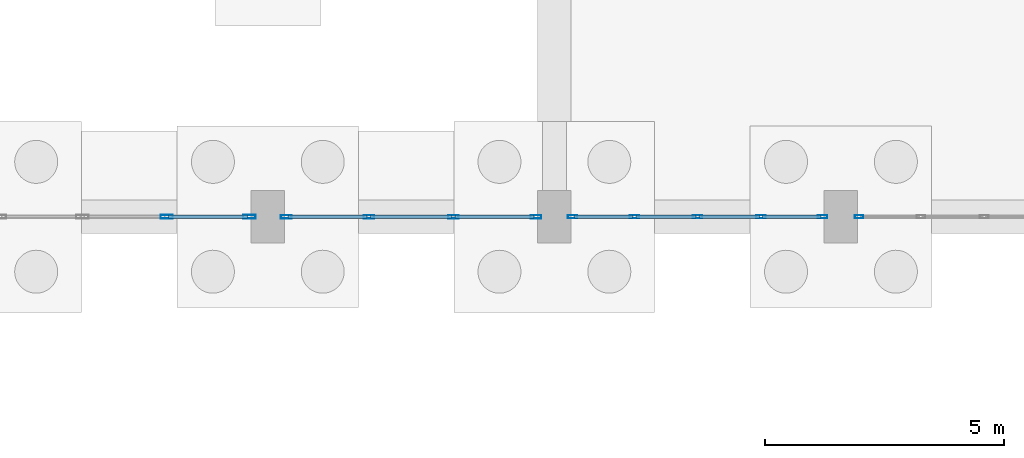
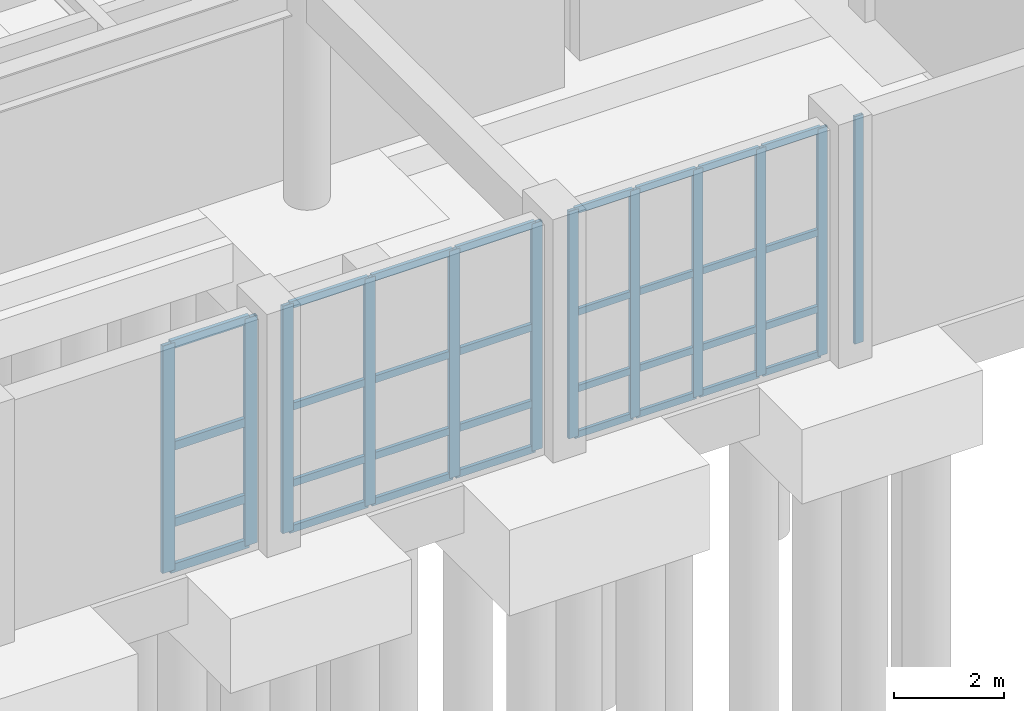
# One storey, part 33 of 69: 44 members, 4 elements without a shape of their own.
"""IFC4 building model written with IfcOpenShell, lengths in metres."""

from ifc_helpers import new_model, si_unit, direction, frame, origin, origin_2d, place, context, subcontext, project, spatial, hollow_rectangle, extrude, material, layer, layer_set, material_profile, profile_set, type_object, element, aggregate, save


model = new_model("IFC4")

# Units and contexts
model_context = context("Model", 3, precision=1e-05, world=origin(), true_north=direction((0.0, 1.0)))
body_context = subcontext(model_context, "Body", "Model", "MODEL_VIEW")
ifc_project = project(units=[si_unit("LENGTHUNIT", "METRE"), si_unit("AREAUNIT", "SQUARE_METRE"), si_unit("VOLUMEUNIT", "CUBIC_METRE"), si_unit("PLANEANGLEUNIT", "RADIAN"), si_unit("MASSUNIT", "GRAM", prefix="KILO")], contexts=[model_context])

# Site, building, storey
site_placement = place(None, origin())
site = spatial("IfcSite", under=ifc_project, at=site_placement, CompositionType="ELEMENT")
building_placement = place(site_placement, origin())
building = spatial("IfcBuilding", under=site, at=building_placement, Name="Vaelkrest Opera House", CompositionType="ELEMENT")
storey_placement = place(building_placement, frame((0.0, 0.0, -5.39990234375)))
storey = spatial("IfcBuildingStorey", under=building, at=storey_placement, Name="B1", CompositionType="ELEMENT", Elevation=-5.39990234375)

# Curtain wall, member
ifc_material = material(Name="Dark bronze anodized aluminium", Category="aluminium")
ifc_layer_1 = layer(ifc_material, 0.179931640625)
ifc_layer_set_1 = layer_set([ifc_layer_1], Name="Dark bronze anodized aluminium")
curtain_wall_type_1 = type_object("IfcCurtainWallType", Name="CW01", PredefinedType="NOTDEFINED", material=ifc_layer_set_1)
curtain_wall_1_placement = place(storey_placement, origin())
curtain_wall_1 = element("IfcCurtainWall", 1, at=curtain_wall_1_placement, inside=storey, type_object=curtain_wall_type_1, Name="Curtain wall CW-B1-001", PredefinedType="NOTDEFINED")
ifc_material_profile_1 = material_profile(ifc_material, hollow_rectangle(XDim=0.06494140625, YDim=0.179931640625, WallThickness=0.00390625, at=origin_2d()), Name="CWM65X180")
ifc_profile_set_1 = profile_set([ifc_material_profile_1], Name="Dark bronze anodized aluminium")
member_type_1 = type_object("IfcMemberType", Name="CWM01", PredefinedType="MULLION", material=ifc_profile_set_1)
member_1_placement = place(storey_placement, frame((24.380615234375, -55.800048828125, 0.0), z_axis=(0.0, 0.0, 1.0), x_axis=(0.0, -1.0, 0.0)))
member_1 = element("IfcMember", 2, at=member_1_placement, type_object=member_type_1, Name="CW01 mullion 5", PredefinedType="MULLION", context=body_context, shape_type="SweptSolid", body=[
    extrude(hollow_rectangle(XDim=0.06494140625, YDim=0.179931640625, WallThickness=0.00390625, at=origin_2d()), origin(), (0.0, 0.0, 1.0), 5.0498046875),
])
aggregate(curtain_wall_1, [member_1])

# Curtain wall, members
ifc_layer_2 = layer(ifc_material, 0.18994140625)
ifc_layer_set_2 = layer_set([ifc_layer_2], Name="Dark bronze anodized aluminium")
curtain_wall_type_2 = type_object("IfcCurtainWallType", Name="CW02", PredefinedType="NOTDEFINED", material=ifc_layer_set_2)
curtain_wall_2_placement = place(storey_placement, origin())
curtain_wall_2 = element("IfcCurtainWall", 3, at=curtain_wall_2_placement, inside=storey, type_object=curtain_wall_type_2, Name="Curtain wall CW-B1-002", PredefinedType="NOTDEFINED")
ifc_material_profile_2 = material_profile(ifc_material, hollow_rectangle(XDim=0.070068359375, YDim=0.199951171875, WallThickness=0.004150390625, at=origin_2d()), Name="CWM70X200")
ifc_profile_set_2 = profile_set([ifc_material_profile_2], Name="Dark bronze anodized aluminium")
member_type_2 = type_object("IfcMemberType", Name="CWM02", PredefinedType="MULLION", material=ifc_profile_set_2)
member_2_placement = place(storey_placement, frame((23.616943359375, -55.800048828125, 0.0), z_axis=(0.0, 0.0, 1.0), x_axis=(0.0, -1.0, 0.0)))
member_2 = element("IfcMember", 4, at=member_2_placement, type_object=member_type_2, Name="CW02 mullion 1", PredefinedType="MULLION", context=body_context, shape_type="SweptSolid", body=[
    extrude(hollow_rectangle(XDim=0.070068359375, YDim=0.199951171875, WallThickness=0.004150390625, at=origin_2d()), origin(), (0.0, 0.0, 1.0), 5.0498046875),
])
member_3_placement = place(storey_placement, frame((22.325927734375, -55.800048828125, 0.0), z_axis=(0.0, 0.0, 1.0), x_axis=(0.0, -1.0, 0.0)))
member_3 = element("IfcMember", 5, at=member_3_placement, type_object=member_type_2, Name="CW02 mullion 2", PredefinedType="MULLION", context=body_context, shape_type="SweptSolid", body=[
    extrude(hollow_rectangle(XDim=0.070068359375, YDim=0.199951171875, WallThickness=0.004150390625, at=origin_2d()), origin(), (0.0, 0.0, 1.0), 5.0498046875),
])
member_4_placement = place(storey_placement, frame((21.0, -55.800048828125, 0.0), z_axis=(0.0, 0.0, 1.0), x_axis=(0.0, -1.0, 0.0)))
member_4 = element("IfcMember", 6, at=member_4_placement, type_object=member_type_2, Name="CW02 mullion 3", PredefinedType="MULLION", context=body_context, shape_type="SweptSolid", body=[
    extrude(hollow_rectangle(XDim=0.070068359375, YDim=0.199951171875, WallThickness=0.004150390625, at=origin_2d()), origin(), (0.0, 0.0, 1.0), 5.0498046875),
])
member_5_placement = place(storey_placement, frame((19.674072265625, -55.800048828125, 0.0), z_axis=(0.0, 0.0, 1.0), x_axis=(0.0, -1.0, 0.0)))
member_5 = element("IfcMember", 7, at=member_5_placement, type_object=member_type_2, Name="CW02 mullion 4", PredefinedType="MULLION", context=body_context, shape_type="SweptSolid", body=[
    extrude(hollow_rectangle(XDim=0.070068359375, YDim=0.199951171875, WallThickness=0.004150390625, at=origin_2d()), origin(), (0.0, 0.0, 1.0), 5.0498046875),
])
member_6_placement = place(storey_placement, frame((18.383056640625, -55.800048828125, 0.0), z_axis=(0.0, 0.0, 1.0), x_axis=(0.0, -1.0, 0.0)))
member_6 = element("IfcMember", 8, at=member_6_placement, type_object=member_type_2, Name="CW02 mullion 5", PredefinedType="MULLION", context=body_context, shape_type="SweptSolid", body=[
    extrude(hollow_rectangle(XDim=0.070068359375, YDim=0.199951171875, WallThickness=0.004150390625, at=origin_2d()), origin(), (0.0, 0.0, 1.0), 5.0498046875),
])

ifc_layer_3 = layer(ifc_material, 0.199951171875)
ifc_layer_set_3 = layer_set([ifc_layer_3], Name="Dark bronze anodized aluminium")
curtain_wall_type_3 = type_object("IfcCurtainWallType", Name="CW03", PredefinedType="NOTDEFINED", material=ifc_layer_set_3)
curtain_wall_3_placement = place(storey_placement, origin())
curtain_wall_3 = element("IfcCurtainWall", 9, at=curtain_wall_3_placement, inside=storey, type_object=curtain_wall_type_3, Name="Curtain wall CW-B1-003", PredefinedType="NOTDEFINED")
ifc_material_profile_3 = material_profile(ifc_material, hollow_rectangle(XDim=0.074951171875, YDim=0.219970703125, WallThickness=0.00439453125, at=origin_2d()), Name="CWM75X220")
ifc_profile_set_3 = profile_set([ifc_material_profile_3], Name="Dark bronze anodized aluminium")
member_type_3 = type_object("IfcMemberType", Name="CWM03", PredefinedType="MULLION", material=ifc_profile_set_3)
member_7_placement = place(storey_placement, frame((17.614501953125, -55.800048828125, 0.0), z_axis=(0.0, 0.0, 1.0), x_axis=(0.0, -1.0, 0.0)))
member_7 = element("IfcMember", 10, at=member_7_placement, type_object=member_type_3, Name="CW03 mullion 1", PredefinedType="MULLION", context=body_context, shape_type="SweptSolid", body=[
    extrude(hollow_rectangle(XDim=0.074951171875, YDim=0.219970703125, WallThickness=0.00439453125, at=origin_2d()), origin(), (0.0, 0.0, 1.0), 5.0498046875),
])
member_8_placement = place(storey_placement, frame((15.884033203125, -55.800048828125, 0.0), z_axis=(0.0, 0.0, 1.0), x_axis=(0.0, -1.0, 0.0)))
member_8 = element("IfcMember", 11, at=member_8_placement, type_object=member_type_3, Name="CW03 mullion 2", PredefinedType="MULLION", context=body_context, shape_type="SweptSolid", body=[
    extrude(hollow_rectangle(XDim=0.074951171875, YDim=0.219970703125, WallThickness=0.00439453125, at=origin_2d()), origin(), (0.0, 0.0, 1.0), 5.0498046875),
])
member_9_placement = place(storey_placement, frame((14.115966796875, -55.800048828125, 0.0), z_axis=(0.0, 0.0, 1.0), x_axis=(0.0, -1.0, 0.0)))
member_9 = element("IfcMember", 12, at=member_9_placement, type_object=member_type_3, Name="CW03 mullion 3", PredefinedType="MULLION", context=body_context, shape_type="SweptSolid", body=[
    extrude(hollow_rectangle(XDim=0.074951171875, YDim=0.219970703125, WallThickness=0.00439453125, at=origin_2d()), origin(), (0.0, 0.0, 1.0), 5.0498046875),
])
member_10_placement = place(storey_placement, frame((12.385498046875, -55.800048828125, 0.0), z_axis=(0.0, 0.0, 1.0), x_axis=(0.0, -1.0, 0.0)))
member_10 = element("IfcMember", 13, at=member_10_placement, type_object=member_type_3, Name="CW03 mullion 4", PredefinedType="MULLION", context=body_context, shape_type="SweptSolid", body=[
    extrude(hollow_rectangle(XDim=0.074951171875, YDim=0.219970703125, WallThickness=0.00439453125, at=origin_2d()), origin(), (0.0, 0.0, 1.0), 5.0498046875),
])

ifc_layer_4 = layer(ifc_material, 0.2099609375)
ifc_layer_set_4 = layer_set([ifc_layer_4], Name="Dark bronze anodized aluminium")
curtain_wall_type_4 = type_object("IfcCurtainWallType", Name="CW04", PredefinedType="NOTDEFINED", material=ifc_layer_set_4)
curtain_wall_4_placement = place(storey_placement, origin())
curtain_wall_4 = element("IfcCurtainWall", 14, at=curtain_wall_4_placement, inside=storey, type_object=curtain_wall_type_4, Name="Curtain wall CW-B1-004", PredefinedType="NOTDEFINED")
ifc_material_profile_4 = material_profile(ifc_material, hollow_rectangle(XDim=0.080078125, YDim=0.260009765625, WallThickness=0.0048828125, at=origin_2d()), Name="CWM80X260")
ifc_profile_set_4 = profile_set([ifc_material_profile_4], Name="Dark bronze anodized aluminium")
member_type_4 = type_object("IfcMemberType", Name="CWM04", PredefinedType="MULLION", material=ifc_profile_set_4)
member_11_placement = place(storey_placement, frame((11.612060546875, -55.800048828125, 0.0), z_axis=(0.0, 0.0, 1.0), x_axis=(0.0, -1.0, 0.0)))
member_11 = element("IfcMember", 15, at=member_11_placement, type_object=member_type_4, Name="CW04 mullion 1", PredefinedType="MULLION", context=body_context, shape_type="SweptSolid", body=[
    extrude(hollow_rectangle(XDim=0.080078125, YDim=0.260009765625, WallThickness=0.0048828125, at=origin_2d()), origin(), (0.0, 0.0, 1.0), 5.0498046875),
])
member_12_placement = place(storey_placement, frame((9.884033203125, -55.800048828125, 0.0), z_axis=(0.0, 0.0, 1.0), x_axis=(0.0, -1.0, 0.0)))
member_12 = element("IfcMember", 16, at=member_12_placement, type_object=member_type_4, Name="CW04 mullion 2", PredefinedType="MULLION", context=body_context, shape_type="SweptSolid", body=[
    extrude(hollow_rectangle(XDim=0.080078125, YDim=0.260009765625, WallThickness=0.0048828125, at=origin_2d()), origin(), (0.0, 0.0, 1.0), 5.0498046875),
])

# Member
ifc_material_profile_5 = material_profile(ifc_material, hollow_rectangle(XDim=0.070068359375, YDim=0.14990234375, WallThickness=0.004150390625, at=origin_2d()), Name="CWT70X150")
ifc_profile_set_5 = profile_set([ifc_material_profile_5], Name="Dark bronze anodized aluminium")
member_type_5 = type_object("IfcMemberType", Name="CWT02", PredefinedType="USERDEFINED", material=ifc_profile_set_5)
member_13_placement = place(storey_placement, frame((23.58203125, -55.800048828125, 0.034912109375), z_axis=(-1.0, 0.0, 0.0), x_axis=(0.0, -1.0, 0.0)))
member_13 = element("IfcMember", 17, at=member_13_placement, type_object=member_type_5, Name="CW02 transom 1.1", ObjectType="TRANSOM", PredefinedType="USERDEFINED", context=body_context, shape_type="SweptSolid", body=[
    extrude(hollow_rectangle(XDim=0.070068359375, YDim=0.14990234375, WallThickness=0.004150390625, at=origin_2d()), origin(), (0.0, 0.0, 1.0), 1.220947265625),
])

member_14_placement = place(storey_placement, frame((23.58203125, -55.800048828125, 1.0498046875), z_axis=(-1.0, 0.0, 0.0), x_axis=(0.0, -1.0, 0.0)))
member_14 = element("IfcMember", 18, at=member_14_placement, type_object=member_type_5, Name="CW02 transom 1.2", ObjectType="TRANSOM", PredefinedType="USERDEFINED", context=body_context, shape_type="SweptSolid", body=[
    extrude(hollow_rectangle(XDim=0.070068359375, YDim=0.14990234375, WallThickness=0.004150390625, at=origin_2d()), origin(), (0.0, 0.0, 1.0), 1.220947265625),
])

member_15_placement = place(storey_placement, frame((23.58203125, -55.800048828125, 2.75), z_axis=(-1.0, 0.0, 0.0), x_axis=(0.0, -1.0, 0.0)))
member_15 = element("IfcMember", 19, at=member_15_placement, type_object=member_type_5, Name="CW02 transom 1.3", ObjectType="TRANSOM", PredefinedType="USERDEFINED", context=body_context, shape_type="SweptSolid", body=[
    extrude(hollow_rectangle(XDim=0.070068359375, YDim=0.14990234375, WallThickness=0.004150390625, at=origin_2d()), origin(), (0.0, 0.0, 1.0), 1.220947265625),
])

member_16_placement = place(storey_placement, frame((23.58203125, -55.800048828125, 5.014892578125), z_axis=(-1.0, 0.0, 0.0), x_axis=(0.0, -1.0, 0.0)))
member_16 = element("IfcMember", 20, at=member_16_placement, type_object=member_type_5, Name="CW02 transom 1.4", ObjectType="TRANSOM", PredefinedType="USERDEFINED", context=body_context, shape_type="SweptSolid", body=[
    extrude(hollow_rectangle(XDim=0.070068359375, YDim=0.14990234375, WallThickness=0.004150390625, at=origin_2d()), origin(), (0.0, 0.0, 1.0), 1.220947265625),
])

member_17_placement = place(storey_placement, frame((22.291015625, -55.800048828125, 0.034912109375), z_axis=(-1.0, 0.0, 0.0), x_axis=(0.0, -1.0, 0.0)))
member_17 = element("IfcMember", 21, at=member_17_placement, type_object=member_type_5, Name="CW02 transom 2.1", ObjectType="TRANSOM", PredefinedType="USERDEFINED", context=body_context, shape_type="SweptSolid", body=[
    extrude(hollow_rectangle(XDim=0.070068359375, YDim=0.14990234375, WallThickness=0.004150390625, at=origin_2d()), origin(), (0.0, 0.0, 1.0), 1.256103515625),
])

member_18_placement = place(storey_placement, frame((22.291015625, -55.800048828125, 1.0498046875), z_axis=(-1.0, 0.0, 0.0), x_axis=(0.0, -1.0, 0.0)))
member_18 = element("IfcMember", 22, at=member_18_placement, type_object=member_type_5, Name="CW02 transom 2.2", ObjectType="TRANSOM", PredefinedType="USERDEFINED", context=body_context, shape_type="SweptSolid", body=[
    extrude(hollow_rectangle(XDim=0.070068359375, YDim=0.14990234375, WallThickness=0.004150390625, at=origin_2d()), origin(), (0.0, 0.0, 1.0), 1.256103515625),
])

member_19_placement = place(storey_placement, frame((22.291015625, -55.800048828125, 2.75), z_axis=(-1.0, 0.0, 0.0), x_axis=(0.0, -1.0, 0.0)))
member_19 = element("IfcMember", 23, at=member_19_placement, type_object=member_type_5, Name="CW02 transom 2.3", ObjectType="TRANSOM", PredefinedType="USERDEFINED", context=body_context, shape_type="SweptSolid", body=[
    extrude(hollow_rectangle(XDim=0.070068359375, YDim=0.14990234375, WallThickness=0.004150390625, at=origin_2d()), origin(), (0.0, 0.0, 1.0), 1.256103515625),
])

member_20_placement = place(storey_placement, frame((22.291015625, -55.800048828125, 5.014892578125), z_axis=(-1.0, 0.0, 0.0), x_axis=(0.0, -1.0, 0.0)))
member_20 = element("IfcMember", 24, at=member_20_placement, type_object=member_type_5, Name="CW02 transom 2.4", ObjectType="TRANSOM", PredefinedType="USERDEFINED", context=body_context, shape_type="SweptSolid", body=[
    extrude(hollow_rectangle(XDim=0.070068359375, YDim=0.14990234375, WallThickness=0.004150390625, at=origin_2d()), origin(), (0.0, 0.0, 1.0), 1.256103515625),
])

member_21_placement = place(storey_placement, frame((20.965087890625, -55.800048828125, 0.034912109375), z_axis=(-1.0, 0.0, 0.0), x_axis=(0.0, -1.0, 0.0)))
member_21 = element("IfcMember", 25, at=member_21_placement, type_object=member_type_5, Name="CW02 transom 3.1", ObjectType="TRANSOM", PredefinedType="USERDEFINED", context=body_context, shape_type="SweptSolid", body=[
    extrude(hollow_rectangle(XDim=0.070068359375, YDim=0.14990234375, WallThickness=0.004150390625, at=origin_2d()), origin(), (0.0, 0.0, 1.0), 1.256103515625),
])

member_22_placement = place(storey_placement, frame((20.965087890625, -55.800048828125, 1.0498046875), z_axis=(-1.0, 0.0, 0.0), x_axis=(0.0, -1.0, 0.0)))
member_22 = element("IfcMember", 26, at=member_22_placement, type_object=member_type_5, Name="CW02 transom 3.2", ObjectType="TRANSOM", PredefinedType="USERDEFINED", context=body_context, shape_type="SweptSolid", body=[
    extrude(hollow_rectangle(XDim=0.070068359375, YDim=0.14990234375, WallThickness=0.004150390625, at=origin_2d()), origin(), (0.0, 0.0, 1.0), 1.256103515625),
])

member_23_placement = place(storey_placement, frame((20.965087890625, -55.800048828125, 2.75), z_axis=(-1.0, 0.0, 0.0), x_axis=(0.0, -1.0, 0.0)))
member_23 = element("IfcMember", 27, at=member_23_placement, type_object=member_type_5, Name="CW02 transom 3.3", ObjectType="TRANSOM", PredefinedType="USERDEFINED", context=body_context, shape_type="SweptSolid", body=[
    extrude(hollow_rectangle(XDim=0.070068359375, YDim=0.14990234375, WallThickness=0.004150390625, at=origin_2d()), origin(), (0.0, 0.0, 1.0), 1.256103515625),
])

member_24_placement = place(storey_placement, frame((20.965087890625, -55.800048828125, 5.014892578125), z_axis=(-1.0, 0.0, 0.0), x_axis=(0.0, -1.0, 0.0)))
member_24 = element("IfcMember", 28, at=member_24_placement, type_object=member_type_5, Name="CW02 transom 3.4", ObjectType="TRANSOM", PredefinedType="USERDEFINED", context=body_context, shape_type="SweptSolid", body=[
    extrude(hollow_rectangle(XDim=0.070068359375, YDim=0.14990234375, WallThickness=0.004150390625, at=origin_2d()), origin(), (0.0, 0.0, 1.0), 1.256103515625),
])

member_25_placement = place(storey_placement, frame((19.638916015625, -55.800048828125, 0.034912109375), z_axis=(-1.0, 0.0, 0.0), x_axis=(0.0, -1.0, 0.0)))
member_25 = element("IfcMember", 29, at=member_25_placement, type_object=member_type_5, Name="CW02 transom 4.1", ObjectType="TRANSOM", PredefinedType="USERDEFINED", context=body_context, shape_type="SweptSolid", body=[
    extrude(hollow_rectangle(XDim=0.070068359375, YDim=0.14990234375, WallThickness=0.004150390625, at=origin_2d()), origin(), (0.0, 0.0, 1.0), 1.220947265625),
])

member_26_placement = place(storey_placement, frame((19.638916015625, -55.800048828125, 1.0498046875), z_axis=(-1.0, 0.0, 0.0), x_axis=(0.0, -1.0, 0.0)))
member_26 = element("IfcMember", 30, at=member_26_placement, type_object=member_type_5, Name="CW02 transom 4.2", ObjectType="TRANSOM", PredefinedType="USERDEFINED", context=body_context, shape_type="SweptSolid", body=[
    extrude(hollow_rectangle(XDim=0.070068359375, YDim=0.14990234375, WallThickness=0.004150390625, at=origin_2d()), origin(), (0.0, 0.0, 1.0), 1.220947265625),
])

member_27_placement = place(storey_placement, frame((19.638916015625, -55.800048828125, 2.75), z_axis=(-1.0, 0.0, 0.0), x_axis=(0.0, -1.0, 0.0)))
member_27 = element("IfcMember", 31, at=member_27_placement, type_object=member_type_5, Name="CW02 transom 4.3", ObjectType="TRANSOM", PredefinedType="USERDEFINED", context=body_context, shape_type="SweptSolid", body=[
    extrude(hollow_rectangle(XDim=0.070068359375, YDim=0.14990234375, WallThickness=0.004150390625, at=origin_2d()), origin(), (0.0, 0.0, 1.0), 1.220947265625),
])

member_28_placement = place(storey_placement, frame((19.638916015625, -55.800048828125, 5.014892578125), z_axis=(-1.0, 0.0, 0.0), x_axis=(0.0, -1.0, 0.0)))
member_28 = element("IfcMember", 32, at=member_28_placement, type_object=member_type_5, Name="CW02 transom 4.4", ObjectType="TRANSOM", PredefinedType="USERDEFINED", context=body_context, shape_type="SweptSolid", body=[
    extrude(hollow_rectangle(XDim=0.070068359375, YDim=0.14990234375, WallThickness=0.004150390625, at=origin_2d()), origin(), (0.0, 0.0, 1.0), 1.220947265625),
])

aggregate(curtain_wall_2, [member_2, member_3, member_4, member_5, member_6, member_13, member_14, member_15, member_16, member_17, member_18, member_19, member_20, member_21, member_22, member_23, member_24, member_25, member_26, member_27, member_28])

ifc_material_profile_6 = material_profile(ifc_material, hollow_rectangle(XDim=0.074951171875, YDim=0.159912109375, WallThickness=0.00439453125, at=origin_2d()), Name="CWT75X160")
ifc_profile_set_6 = profile_set([ifc_material_profile_6], Name="Dark bronze anodized aluminium")
member_type_6 = type_object("IfcMemberType", Name="CWT03", PredefinedType="USERDEFINED", material=ifc_profile_set_6)
member_29_placement = place(storey_placement, frame((17.576904296875, -55.800048828125, 0.037353515625), z_axis=(-1.0, 0.0, 0.0), x_axis=(0.0, -1.0, 0.0)))
member_29 = element("IfcMember", 33, at=member_29_placement, type_object=member_type_6, Name="CW03 transom 1.1", ObjectType="TRANSOM", PredefinedType="USERDEFINED", context=body_context, shape_type="SweptSolid", body=[
    extrude(hollow_rectangle(XDim=0.074951171875, YDim=0.159912109375, WallThickness=0.00439453125, at=origin_2d()), origin(), (0.0, 0.0, 1.0), 1.655517578125),
])

member_30_placement = place(storey_placement, frame((17.576904296875, -55.800048828125, 1.0498046875), z_axis=(-1.0, 0.0, 0.0), x_axis=(0.0, -1.0, 0.0)))
member_30 = element("IfcMember", 34, at=member_30_placement, type_object=member_type_6, Name="CW03 transom 1.2", ObjectType="TRANSOM", PredefinedType="USERDEFINED", context=body_context, shape_type="SweptSolid", body=[
    extrude(hollow_rectangle(XDim=0.074951171875, YDim=0.159912109375, WallThickness=0.00439453125, at=origin_2d()), origin(), (0.0, 0.0, 1.0), 1.655517578125),
])

member_31_placement = place(storey_placement, frame((17.576904296875, -55.800048828125, 2.75), z_axis=(-1.0, 0.0, 0.0), x_axis=(0.0, -1.0, 0.0)))
member_31 = element("IfcMember", 35, at=member_31_placement, type_object=member_type_6, Name="CW03 transom 1.3", ObjectType="TRANSOM", PredefinedType="USERDEFINED", context=body_context, shape_type="SweptSolid", body=[
    extrude(hollow_rectangle(XDim=0.074951171875, YDim=0.159912109375, WallThickness=0.00439453125, at=origin_2d()), origin(), (0.0, 0.0, 1.0), 1.655517578125),
])

member_32_placement = place(storey_placement, frame((17.576904296875, -55.800048828125, 5.012451171875), z_axis=(-1.0, 0.0, 0.0), x_axis=(0.0, -1.0, 0.0)))
member_32 = element("IfcMember", 36, at=member_32_placement, type_object=member_type_6, Name="CW03 transom 1.4", ObjectType="TRANSOM", PredefinedType="USERDEFINED", context=body_context, shape_type="SweptSolid", body=[
    extrude(hollow_rectangle(XDim=0.074951171875, YDim=0.159912109375, WallThickness=0.00439453125, at=origin_2d()), origin(), (0.0, 0.0, 1.0), 1.655517578125),
])

member_33_placement = place(storey_placement, frame((15.846435546875, -55.800048828125, 0.037353515625), z_axis=(-1.0, 0.0, 0.0), x_axis=(0.0, -1.0, 0.0)))
member_33 = element("IfcMember", 37, at=member_33_placement, type_object=member_type_6, Name="CW03 transom 2.1", ObjectType="TRANSOM", PredefinedType="USERDEFINED", context=body_context, shape_type="SweptSolid", body=[
    extrude(hollow_rectangle(XDim=0.074951171875, YDim=0.159912109375, WallThickness=0.00439453125, at=origin_2d()), origin(), (0.0, 0.0, 1.0), 1.69287109375),
])

member_34_placement = place(storey_placement, frame((15.846435546875, -55.800048828125, 1.0498046875), z_axis=(-1.0, 0.0, 0.0), x_axis=(0.0, -1.0, 0.0)))
member_34 = element("IfcMember", 38, at=member_34_placement, type_object=member_type_6, Name="CW03 transom 2.2", ObjectType="TRANSOM", PredefinedType="USERDEFINED", context=body_context, shape_type="SweptSolid", body=[
    extrude(hollow_rectangle(XDim=0.074951171875, YDim=0.159912109375, WallThickness=0.00439453125, at=origin_2d()), origin(), (0.0, 0.0, 1.0), 1.69287109375),
])

member_35_placement = place(storey_placement, frame((15.846435546875, -55.800048828125, 2.75), z_axis=(-1.0, 0.0, 0.0), x_axis=(0.0, -1.0, 0.0)))
member_35 = element("IfcMember", 39, at=member_35_placement, type_object=member_type_6, Name="CW03 transom 2.3", ObjectType="TRANSOM", PredefinedType="USERDEFINED", context=body_context, shape_type="SweptSolid", body=[
    extrude(hollow_rectangle(XDim=0.074951171875, YDim=0.159912109375, WallThickness=0.00439453125, at=origin_2d()), origin(), (0.0, 0.0, 1.0), 1.69287109375),
])

member_36_placement = place(storey_placement, frame((15.846435546875, -55.800048828125, 5.012451171875), z_axis=(-1.0, 0.0, 0.0), x_axis=(0.0, -1.0, 0.0)))
member_36 = element("IfcMember", 40, at=member_36_placement, type_object=member_type_6, Name="CW03 transom 2.4", ObjectType="TRANSOM", PredefinedType="USERDEFINED", context=body_context, shape_type="SweptSolid", body=[
    extrude(hollow_rectangle(XDim=0.074951171875, YDim=0.159912109375, WallThickness=0.00439453125, at=origin_2d()), origin(), (0.0, 0.0, 1.0), 1.69287109375),
])

member_37_placement = place(storey_placement, frame((14.07861328125, -55.800048828125, 0.037353515625), z_axis=(-1.0, 0.0, 0.0), x_axis=(0.0, -1.0, 0.0)))
member_37 = element("IfcMember", 41, at=member_37_placement, type_object=member_type_6, Name="CW03 transom 3.1", ObjectType="TRANSOM", PredefinedType="USERDEFINED", context=body_context, shape_type="SweptSolid", body=[
    extrude(hollow_rectangle(XDim=0.074951171875, YDim=0.159912109375, WallThickness=0.00439453125, at=origin_2d()), origin(), (0.0, 0.0, 1.0), 1.655517578125),
])

member_38_placement = place(storey_placement, frame((14.07861328125, -55.800048828125, 1.0498046875), z_axis=(-1.0, 0.0, 0.0), x_axis=(0.0, -1.0, 0.0)))
member_38 = element("IfcMember", 42, at=member_38_placement, type_object=member_type_6, Name="CW03 transom 3.2", ObjectType="TRANSOM", PredefinedType="USERDEFINED", context=body_context, shape_type="SweptSolid", body=[
    extrude(hollow_rectangle(XDim=0.074951171875, YDim=0.159912109375, WallThickness=0.00439453125, at=origin_2d()), origin(), (0.0, 0.0, 1.0), 1.655517578125),
])

member_39_placement = place(storey_placement, frame((14.07861328125, -55.800048828125, 2.75), z_axis=(-1.0, 0.0, 0.0), x_axis=(0.0, -1.0, 0.0)))
member_39 = element("IfcMember", 43, at=member_39_placement, type_object=member_type_6, Name="CW03 transom 3.3", ObjectType="TRANSOM", PredefinedType="USERDEFINED", context=body_context, shape_type="SweptSolid", body=[
    extrude(hollow_rectangle(XDim=0.074951171875, YDim=0.159912109375, WallThickness=0.00439453125, at=origin_2d()), origin(), (0.0, 0.0, 1.0), 1.655517578125),
])

member_40_placement = place(storey_placement, frame((14.07861328125, -55.800048828125, 5.012451171875), z_axis=(-1.0, 0.0, 0.0), x_axis=(0.0, -1.0, 0.0)))
member_40 = element("IfcMember", 44, at=member_40_placement, type_object=member_type_6, Name="CW03 transom 3.4", ObjectType="TRANSOM", PredefinedType="USERDEFINED", context=body_context, shape_type="SweptSolid", body=[
    extrude(hollow_rectangle(XDim=0.074951171875, YDim=0.159912109375, WallThickness=0.00439453125, at=origin_2d()), origin(), (0.0, 0.0, 1.0), 1.655517578125),
])

aggregate(curtain_wall_3, [member_7, member_8, member_9, member_10, member_29, member_30, member_31, member_32, member_33, member_34, member_35, member_36, member_37, member_38, member_39, member_40])

ifc_material_profile_7 = material_profile(ifc_material, hollow_rectangle(XDim=0.080078125, YDim=0.18994140625, WallThickness=0.0048828125, at=origin_2d()), Name="CWT80X190")
ifc_profile_set_7 = profile_set([ifc_material_profile_7], Name="Dark bronze anodized aluminium")
member_type_7 = type_object("IfcMemberType", Name="CWT04", PredefinedType="USERDEFINED", material=ifc_profile_set_7)
member_41_placement = place(storey_placement, frame((11.572021484375, -55.800048828125, 0.039794921875), z_axis=(-1.0, 0.0, 0.0), x_axis=(0.0, -1.0, 0.0)))
member_41 = element("IfcMember", 45, at=member_41_placement, type_object=member_type_7, Name="CW04 transom 1.1", ObjectType="TRANSOM", PredefinedType="USERDEFINED", context=body_context, shape_type="SweptSolid", body=[
    extrude(hollow_rectangle(XDim=0.080078125, YDim=0.18994140625, WallThickness=0.0048828125, at=origin_2d()), origin(), (0.0, 0.0, 1.0), 1.64794921875),
])

member_42_placement = place(storey_placement, frame((11.572021484375, -55.800048828125, 1.0498046875), z_axis=(-1.0, 0.0, 0.0), x_axis=(0.0, -1.0, 0.0)))
member_42 = element("IfcMember", 46, at=member_42_placement, type_object=member_type_7, Name="CW04 transom 1.2", ObjectType="TRANSOM", PredefinedType="USERDEFINED", context=body_context, shape_type="SweptSolid", body=[
    extrude(hollow_rectangle(XDim=0.080078125, YDim=0.18994140625, WallThickness=0.0048828125, at=origin_2d()), origin(), (0.0, 0.0, 1.0), 1.64794921875),
])

member_43_placement = place(storey_placement, frame((11.572021484375, -55.800048828125, 2.75), z_axis=(-1.0, 0.0, 0.0), x_axis=(0.0, -1.0, 0.0)))
member_43 = element("IfcMember", 47, at=member_43_placement, type_object=member_type_7, Name="CW04 transom 1.3", ObjectType="TRANSOM", PredefinedType="USERDEFINED", context=body_context, shape_type="SweptSolid", body=[
    extrude(hollow_rectangle(XDim=0.080078125, YDim=0.18994140625, WallThickness=0.0048828125, at=origin_2d()), origin(), (0.0, 0.0, 1.0), 1.64794921875),
])

member_44_placement = place(storey_placement, frame((11.572021484375, -55.800048828125, 5.010009765625), z_axis=(-1.0, 0.0, 0.0), x_axis=(0.0, -1.0, 0.0)))
member_44 = element("IfcMember", 48, at=member_44_placement, type_object=member_type_7, Name="CW04 transom 1.4", ObjectType="TRANSOM", PredefinedType="USERDEFINED", context=body_context, shape_type="SweptSolid", body=[
    extrude(hollow_rectangle(XDim=0.080078125, YDim=0.18994140625, WallThickness=0.0048828125, at=origin_2d()), origin(), (0.0, 0.0, 1.0), 1.64794921875),
])

aggregate(curtain_wall_4, [member_11, member_12, member_41, member_42, member_43, member_44])

save(model, "model.ifc")
